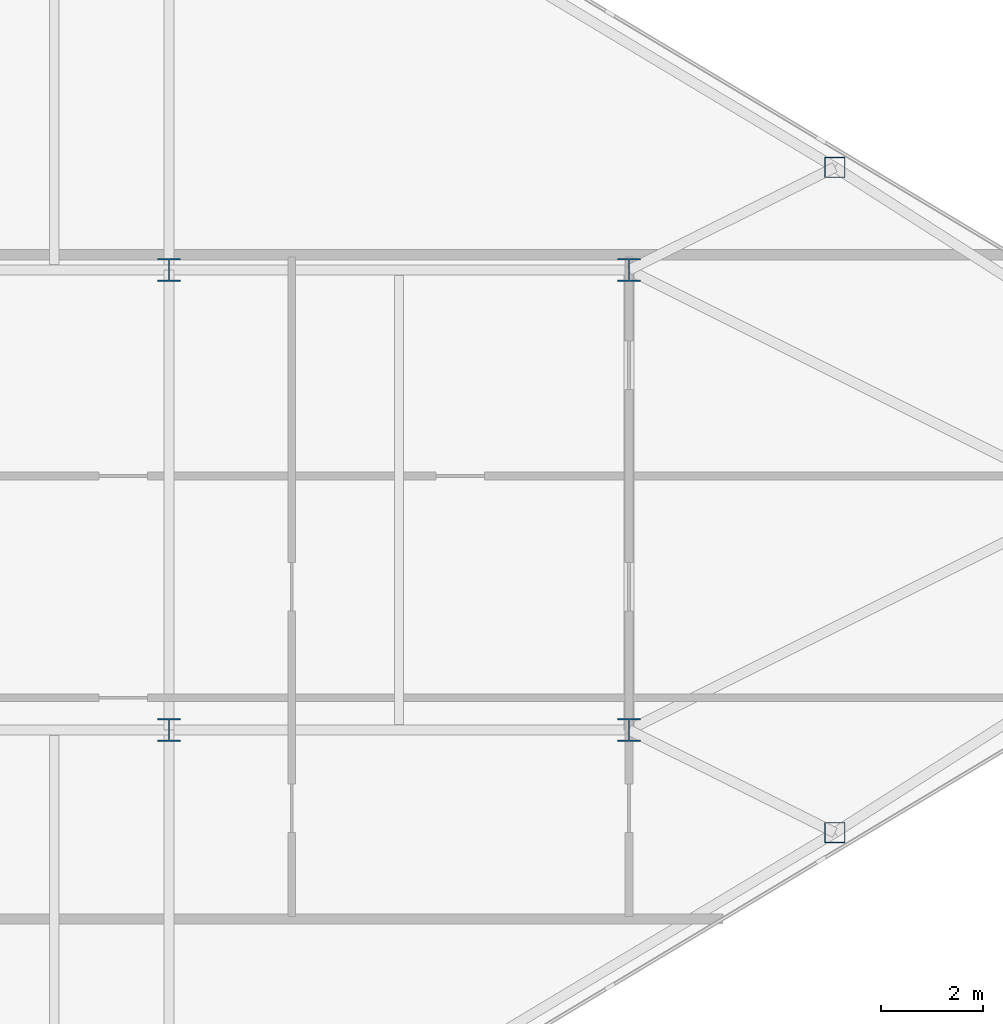
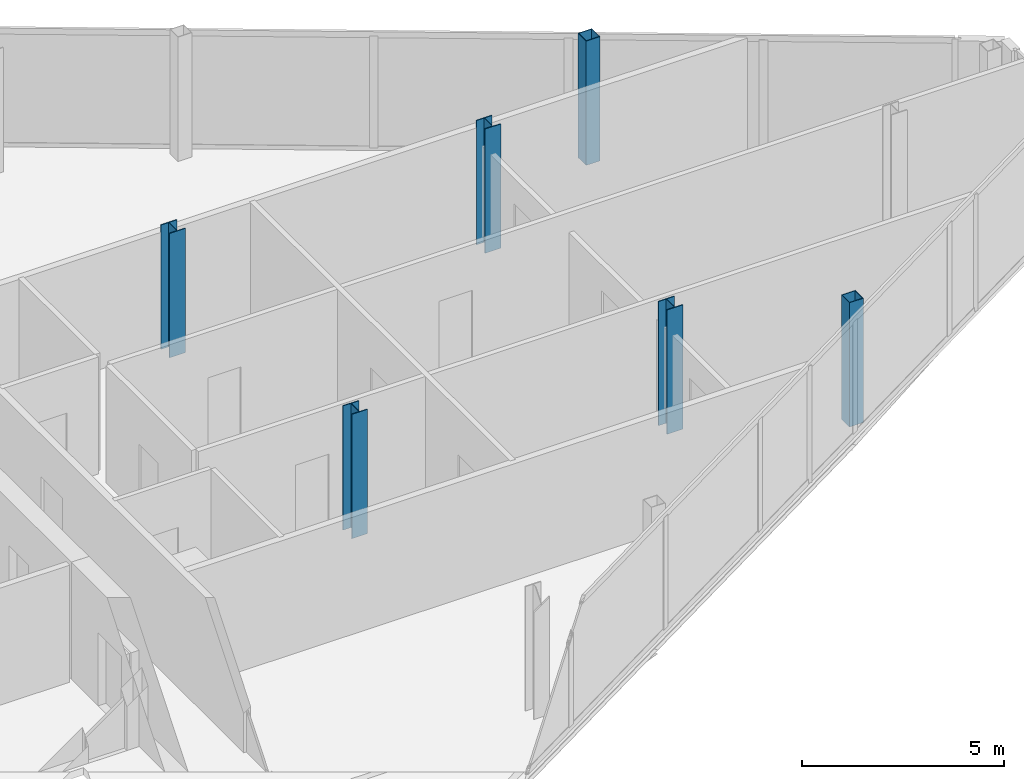
# One storey, part 5 of 29: 6 columns.
"""IFC4 building model written with IfcOpenShell, lengths in metres."""

from ifc_helpers import new_model, si_unit, direction, frame, origin, origin_2d, place, context, subcontext, project, spatial, hollow_rectangle, i_section, extrude, source, transform, mapped, material, material_profile, profile_set, type_object, type_shapes, element, save


model = new_model("IFC4")

# Units and contexts
model_context = context("Model", 3, precision=1e-05, world=origin(), true_north=direction((0.0, 1.0)))
body_context = subcontext(model_context, "Body", "Model", "MODEL_VIEW")
ifc_project = project(units=[si_unit("LENGTHUNIT", "METRE"), si_unit("AREAUNIT", "SQUARE_METRE"), si_unit("VOLUMEUNIT", "CUBIC_METRE"), si_unit("PLANEANGLEUNIT", "RADIAN"), si_unit("MASSUNIT", "GRAM", prefix="KILO")], contexts=[model_context])

# Site, building, storey
site_placement = place(None, origin())
site = spatial("IfcSite", under=ifc_project, at=site_placement, CompositionType="ELEMENT")
building_placement = place(site_placement, origin())
building = spatial("IfcBuilding", under=site, at=building_placement, Name="Seokmaru Belvedere", CompositionType="ELEMENT")
storey_placement = place(building_placement, frame((0.0, 0.0, 250.64990234375)))
storey = spatial("IfcBuildingStorey", under=building, at=storey_placement, Name="L66", CompositionType="ELEMENT", Elevation=250.64990234375)

# Columns
ifc_material = material(Name="Steel SM355 (355 MPa)", Category="steel")
ifc_material_profile_1 = material_profile(ifc_material, i_section(OverallWidth=0.449951171875, OverallDepth=0.449951171875, WebThickness=0.01611328125, FlangeThickness=0.02490234375, at=origin_2d()), Name="H-450x450x16x25")
ifc_profile_set_1 = profile_set([ifc_material_profile_1], Name="Steel SM355 (355 MPa)")
column_type_1 = type_object("IfcColumnType", Name="Sky-Gate Column H-450", PredefinedType="COLUMN", material=ifc_profile_set_1)
shared_shape_1 = source(origin(), body_context, "Body", "SweptSolid", [
    extrude(i_section(OverallWidth=0.449951171875, OverallDepth=0.449951171875, WebThickness=0.01611328125, FlangeThickness=0.02490234375, at=origin_2d()), origin(), (0.0, 0.0, 1.0), 3.75),
])
type_shapes(column_type_1, [shared_shape_1])
for number, where, z_axis, x_axis, name in (
    (1, (45.5, -4.5, 0.0), (0.0, 0.0, 1.0), (1.0, 0.0, 0.0), "L66 Column EG5_2"),
    (2, (45.5, 4.5, 0.0), (0.0, 0.0, 1.0), (1.0, 0.0, 0.0), "L66 Column EG5_3"),
    (3, (54.5, -4.5, 0.0), (0.0, 0.0, 1.0), (1.0, 0.0, 0.0), "L66 Column EG4P_1"),
    (4, (54.5, 4.5, 0.0), (0.0, 0.0, 1.0), (1.0, 0.0, 0.0), "L66 Column EG4P_2"),
):
    element("IfcColumn", number, at=place(storey_placement, frame(where, z_axis=z_axis, x_axis=x_axis)), inside=storey, type_object=column_type_1, Name=name, PredefinedType="COLUMN", context=body_context, shape_type="MappedRepresentation", body=[
        mapped(shared_shape_1, transform((0.0, 0.0, 0.0), scale=1.0)),
    ])
ifc_material_profile_2 = material_profile(ifc_material, hollow_rectangle(XDim=0.39990234375, YDim=0.39990234375, WallThickness=0.01611328125, at=origin_2d()), Name="HSS-400x400x16")
ifc_profile_set_2 = profile_set([ifc_material_profile_2], Name="Steel SM355 (355 MPa)")
column_type_2 = type_object("IfcColumnType", Name="Perimeter Facet Column HSS-400", PredefinedType="COLUMN", material=ifc_profile_set_2)
shared_shape_2 = source(origin(), body_context, "Body", "SweptSolid", [
    extrude(hollow_rectangle(XDim=0.39990234375, YDim=0.39990234375, WallThickness=0.01611328125, at=origin_2d()), origin(), (0.0, 0.0, 1.0), 3.75),
])
type_shapes(column_type_2, [shared_shape_2])
for number, where, z_axis, x_axis, name in (
    (5, (58.530029296875, -6.5087890625, 0.0), (0.0, 0.0, 1.0), (1.0, 0.0, 0.0), "L66 Column EFLK_S3"),
    (6, (58.530029296875, 6.5087890625, 0.0), (0.0, 0.0, 1.0), (1.0, 0.0, 0.0), "L66 Column EFLK_N3"),
):
    element("IfcColumn", number, at=place(storey_placement, frame(where, z_axis=z_axis, x_axis=x_axis)), inside=storey, type_object=column_type_2, Name=name, PredefinedType="COLUMN", context=body_context, shape_type="MappedRepresentation", body=[
        mapped(shared_shape_2, transform((0.0, 0.0, 0.0), scale=1.0)),
    ])

save(model, "model.ifc")
